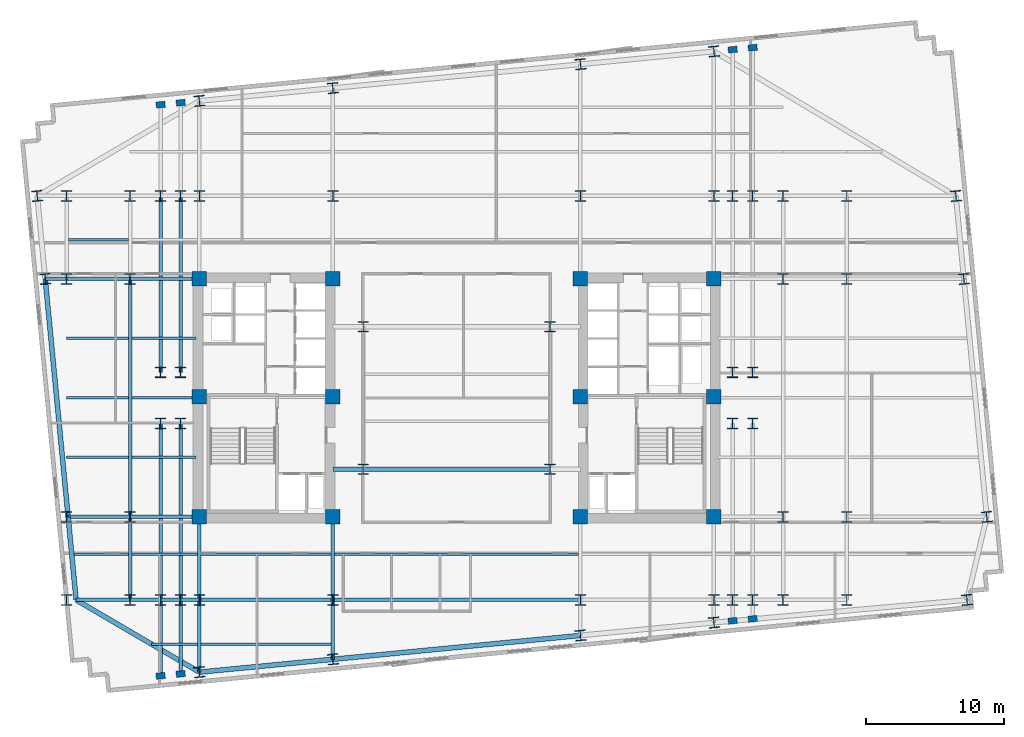
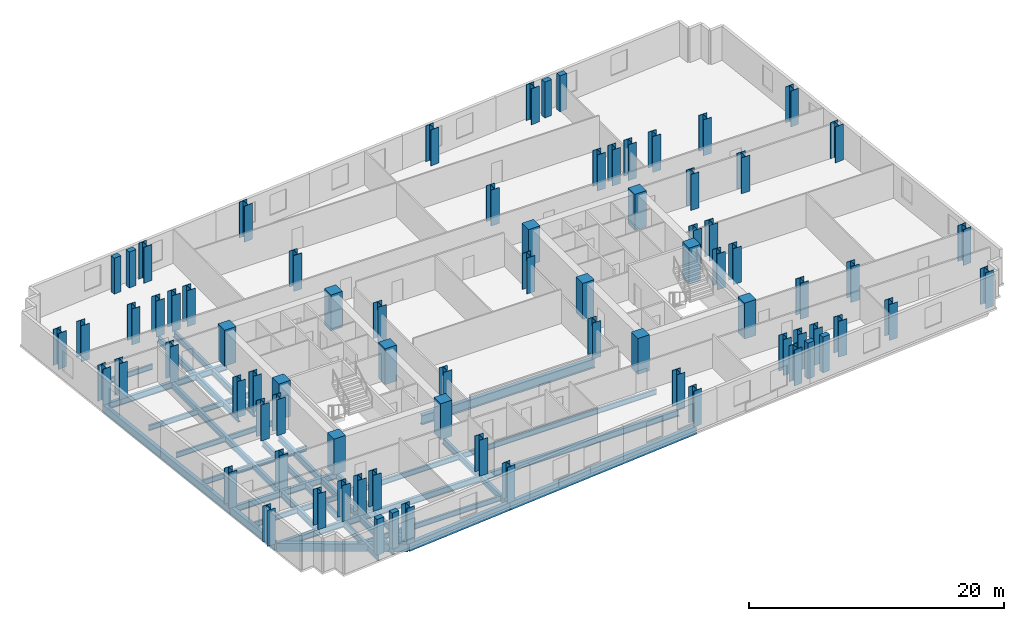
# One storey, part 1 of 10: 78 columns, 41 beams.
"""IFC4 building model written with IfcOpenShell, lengths in metres."""

from ifc_helpers import new_model, si_unit, direction, frame, origin, origin_2d, place, context, subcontext, project, spatial, rectangle, i_section, extrude, material, material_profile, profile_set, type_object, element, save


model = new_model("IFC4")

# Units and contexts
model_context = context("Model", 3, precision=1e-05, world=origin(), true_north=direction((0.0, 1.0)))
body_context = subcontext(model_context, "Body", "Model", "MODEL_VIEW")
ifc_project = project(units=[si_unit("LENGTHUNIT", "METRE"), si_unit("AREAUNIT", "SQUARE_METRE"), si_unit("VOLUMEUNIT", "CUBIC_METRE"), si_unit("PLANEANGLEUNIT", "RADIAN"), si_unit("MASSUNIT", "GRAM", prefix="KILO")], contexts=[model_context])

# Site, building, storey
site_placement = place(None, origin())
site = spatial("IfcSite", under=ifc_project, at=site_placement, CompositionType="ELEMENT")
building_placement = place(site_placement, origin())
building = spatial("IfcBuilding", under=site, at=building_placement, Name="Velakula Bourse", CompositionType="ELEMENT")
storey_placement = place(building_placement, frame((0.0, 0.0, 98.35009765625)))
storey = spatial("IfcBuildingStorey", under=building, at=storey_placement, Name="L26", CompositionType="ELEMENT", Elevation=98.35009765625)

# Columns
ifc_material_1 = material(Name="Concrete M70 (fck 70 MPa)", Category="concrete")
ifc_material_profile_1 = material_profile(ifc_material_1, rectangle(XDim=1.050048828125, YDim=1.050048828125, at=origin_2d()), Name="Concrete M70 (fck 70 MPa)")
ifc_profile_set_1 = profile_set([ifc_material_profile_1], Name="Concrete M70 (fck 70 MPa)")
column_type_1 = type_object("IfcColumnType", Name="COL-RC-1050", PredefinedType="COLUMN", material=ifc_profile_set_1)
for number, where, z_axis, x_axis, name in (
    (1, (-8.949951171875, -8.60009765625, 0.0), (0.0, 0.0, 1.0), (1.0, 0.0, 0.0), "L26 Core Boundary Column 01"),
    (2, (-8.949951171875, 0.10009765625, 0.0), (0.0, 0.0, 1.0), (1.0, 0.0, 0.0), "L26 Core Boundary Column 02"),
    (3, (-8.949951171875, 8.60009765625, 0.0), (0.0, 0.0, 1.0), (1.0, 0.0, 0.0), "L26 Core Boundary Column 03"),
    (4, (-18.60009765625, -8.60009765625, 0.0), (0.0, 0.0, 1.0), (1.0, 0.0, 0.0), "L26 Core Boundary Column 04"),
    (5, (-18.60009765625, 0.10009765625, 0.0), (0.0, 0.0, 1.0), (1.0, 0.0, 0.0), "L26 Core Boundary Column 05"),
    (6, (-18.60009765625, 8.60009765625, 0.0), (0.0, 0.0, 1.0), (1.0, 0.0, 0.0), "L26 Core Boundary Column 06"),
    (7, (8.949951171875, -8.60009765625, 0.0), (0.0, 0.0, 1.0), (1.0, 0.0, 0.0), "L26 Core Boundary Column 07"),
    (8, (8.949951171875, 0.10009765625, 0.0), (0.0, 0.0, 1.0), (1.0, 0.0, 0.0), "L26 Core Boundary Column 08"),
    (9, (8.949951171875, 8.60009765625, 0.0), (0.0, 0.0, 1.0), (1.0, 0.0, 0.0), "L26 Core Boundary Column 09"),
    (10, (18.60009765625, -8.60009765625, 0.0), (0.0, 0.0, 1.0), (1.0, 0.0, 0.0), "L26 Core Boundary Column 10"),
    (11, (18.60009765625, 0.10009765625, 0.0), (0.0, 0.0, 1.0), (1.0, 0.0, 0.0), "L26 Core Boundary Column 11"),
    (12, (18.60009765625, 8.60009765625, 0.0), (0.0, 0.0, 1.0), (1.0, 0.0, 0.0), "L26 Core Boundary Column 12"),
):
    element("IfcColumn", number, at=place(storey_placement, frame(where, z_axis=z_axis, x_axis=x_axis)), inside=storey, type_object=column_type_1, Name=name, PredefinedType="COLUMN", context=body_context, shape_type="SweptSolid", body=[
        extrude(rectangle(XDim=1.050048828125, YDim=1.050048828125, at=origin_2d()), origin(), (0.0, 0.0, 1.0), 3.449951171875),
    ])
ifc_material_2 = material(Name="Steel IS 2062 Grade 450 (E450)", Category="steel")
ifc_material_profile_2 = material_profile(ifc_material_2, i_section(OverallWidth=0.75, OverallDepth=0.75, WebThickness=0.030029296875, FlangeThickness=0.0439453125, at=origin_2d()), Name="Steel IS 2062 Grade 450 (E450)")
ifc_profile_set_2 = profile_set([ifc_material_profile_2], Name="Steel IS 2062 Grade 450 (E450)")
column_type_2 = type_object("IfcColumnType", Name="COL-STL-750", PredefinedType="COLUMN", material=ifc_profile_set_2)
for number, where, z_axis, x_axis, name in (
    (13, (-6.75, -5.14990234375, 0.0), (0.0, 0.0, 1.0), (1.0, 0.0, 0.0), "L26 Central Spine Column 01"),
    (14, (-6.75, 5.14990234375, 0.0), (0.0, 0.0, 1.0), (1.0, 0.0, 0.0), "L26 Central Spine Column 02"),
    (15, (6.75, -5.14990234375, 0.0), (0.0, 0.0, 1.0), (1.0, 0.0, 0.0), "L26 Central Spine Column 03"),
    (16, (6.75, 5.14990234375, 0.0), (0.0, 0.0, 1.0), (1.0, 0.0, 0.0), "L26 Central Spine Column 04"),
    (17, (-21.39990234375, -14.60009765625, 0.0), (0.0, 0.0, 1.0), (1.0, 0.0, 0.0), "L26 Tower Fulcrum Column 01"),
    (18, (-21.39990234375, 14.60009765625, 0.0), (0.0, 0.0, 1.0), (1.0, 0.0, 0.0), "L26 Tower Fulcrum Column 02"),
    (19, (-19.949951171875, -14.60009765625, 0.0), (0.0, 0.0, 1.0), (1.0, 0.0, 0.0), "L26 Tower Fulcrum Column 03"),
    (20, (-19.949951171875, 14.60009765625, 0.0), (0.0, 0.0, 1.0), (1.0, 0.0, 0.0), "L26 Tower Fulcrum Column 04"),
    (21, (-18.60009765625, -14.60009765625, 0.0), (0.0, 0.0, 1.0), (1.0, 0.0, 0.0), "L26 Tower Fulcrum Column 05"),
    (22, (-18.60009765625, 14.60009765625, 0.0), (0.0, 0.0, 1.0), (1.0, 0.0, 0.0), "L26 Tower Fulcrum Column 06"),
    (23, (-8.949951171875, -14.60009765625, 0.0), (0.0, 0.0, 1.0), (1.0, 0.0, 0.0), "L26 Tower Fulcrum Column 07"),
    (24, (-8.949951171875, 14.60009765625, 0.0), (0.0, 0.0, 1.0), (1.0, 0.0, 0.0), "L26 Tower Fulcrum Column 08"),
    (25, (8.949951171875, -14.60009765625, 0.0), (0.0, 0.0, 1.0), (1.0, 0.0, 0.0), "L26 Tower Fulcrum Column 09"),
    (26, (8.949951171875, 14.60009765625, 0.0), (0.0, 0.0, 1.0), (1.0, 0.0, 0.0), "L26 Tower Fulcrum Column 10"),
    (27, (18.60009765625, -14.60009765625, 0.0), (0.0, 0.0, 1.0), (1.0, 0.0, 0.0), "L26 Tower Fulcrum Column 11"),
    (28, (18.60009765625, 14.60009765625, 0.0), (0.0, 0.0, 1.0), (1.0, 0.0, 0.0), "L26 Tower Fulcrum Column 12"),
    (29, (19.949951171875, -14.60009765625, 0.0), (0.0, 0.0, 1.0), (1.0, 0.0, 0.0), "L26 Tower Fulcrum Column 13"),
    (30, (19.949951171875, 14.60009765625, 0.0), (0.0, 0.0, 1.0), (1.0, 0.0, 0.0), "L26 Tower Fulcrum Column 14"),
    (31, (21.39990234375, -14.60009765625, 0.0), (0.0, 0.0, 1.0), (1.0, 0.0, 0.0), "L26 Tower Fulcrum Column 15"),
    (32, (21.39990234375, 14.60009765625, 0.0), (0.0, 0.0, 1.0), (1.0, 0.0, 0.0), "L26 Tower Fulcrum Column 16"),
    (33, (-21.39990234375, -1.85009765625, 0.0), (0.0, 0.0, 1.0), (1.0, 0.0, 0.0), "L26 Tower Fulcrum Column 17"),
    (34, (-21.39990234375, 1.85009765625, 0.0), (0.0, 0.0, 1.0), (1.0, 0.0, 0.0), "L26 Tower Fulcrum Column 18"),
    (35, (-19.949951171875, -1.85009765625, 0.0), (0.0, 0.0, 1.0), (1.0, 0.0, 0.0), "L26 Tower Fulcrum Column 19"),
    (36, (-19.949951171875, 1.85009765625, 0.0), (0.0, 0.0, 1.0), (1.0, 0.0, 0.0), "L26 Tower Fulcrum Column 20"),
    (37, (19.949951171875, -1.85009765625, 0.0), (0.0, 0.0, 1.0), (1.0, 0.0, 0.0), "L26 Tower Fulcrum Column 21"),
    (38, (19.949951171875, 1.85009765625, 0.0), (0.0, 0.0, 1.0), (1.0, 0.0, 0.0), "L26 Tower Fulcrum Column 22"),
    (39, (21.39990234375, -1.85009765625, 0.0), (0.0, 0.0, 1.0), (1.0, 0.0, 0.0), "L26 Tower Fulcrum Column 23"),
    (40, (21.39990234375, 1.85009765625, 0.0), (0.0, 0.0, 1.0), (1.0, 0.0, 0.0), "L26 Tower Fulcrum Column 24"),
    (41, (-23.60009765625, -14.60009765625, 0.0), (0.0, 0.0, 1.0), (1.0, 0.0, 0.0), "L26 Mid-Wing Plumb Column 01"),
    (42, (-23.60009765625, -8.60009765625, 0.0), (0.0, 0.0, 1.0), (1.0, 0.0, 0.0), "L26 Mid-Wing Plumb Column 02"),
    (43, (-23.60009765625, 8.60009765625, 0.0), (0.0, 0.0, 1.0), (1.0, 0.0, 0.0), "L26 Mid-Wing Plumb Column 03"),
    (44, (-23.60009765625, 14.60009765625, 0.0), (0.0, 0.0, 1.0), (1.0, 0.0, 0.0), "L26 Mid-Wing Plumb Column 04"),
    (45, (23.60009765625, -14.60009765625, 0.0), (0.0, 0.0, 1.0), (1.0, 0.0, 0.0), "L26 Mid-Wing Plumb Column 05"),
    (46, (23.60009765625, -8.60009765625, 0.0), (0.0, 0.0, 1.0), (1.0, 0.0, 0.0), "L26 Mid-Wing Plumb Column 06"),
    (47, (23.60009765625, 8.60009765625, 0.0), (0.0, 0.0, 1.0), (1.0, 0.0, 0.0), "L26 Mid-Wing Plumb Column 07"),
    (48, (23.60009765625, 14.60009765625, 0.0), (0.0, 0.0, 1.0), (1.0, 0.0, 0.0), "L26 Mid-Wing Plumb Column 08"),
    (49, (-28.199951171875, -14.60009765625, 0.0), (0.0, 0.0, 1.0), (1.0, 0.0, 0.0), "L26 Lower Wing Column 01"),
    (50, (-28.199951171875, -8.60009765625, 0.0), (0.0, 0.0, 1.0), (1.0, 0.0, 0.0), "L26 Lower Wing Column 02"),
    (51, (-28.199951171875, 8.60009765625, 0.0), (0.0, 0.0, 1.0), (1.0, 0.0, 0.0), "L26 Lower Wing Column 03"),
    (52, (-28.199951171875, 14.60009765625, 0.0), (0.0, 0.0, 1.0), (1.0, 0.0, 0.0), "L26 Lower Wing Column 04"),
    (53, (28.199951171875, -14.60009765625, 0.0), (0.0, 0.0, 1.0), (1.0, 0.0, 0.0), "L26 Lower Wing Column 05"),
    (54, (28.199951171875, -8.60009765625, 0.0), (0.0, 0.0, 1.0), (1.0, 0.0, 0.0), "L26 Lower Wing Column 06"),
    (55, (28.199951171875, 8.60009765625, 0.0), (0.0, 0.0, 1.0), (1.0, 0.0, 0.0), "L26 Lower Wing Column 07"),
    (56, (28.199951171875, 14.60009765625, 0.0), (0.0, 0.0, 1.0), (1.0, 0.0, 0.0), "L26 Lower Wing Column 08"),
    (57, (-18.60009765625, -19.8212890625, 0.0), (0.0, 0.0, 1.0), (0.995396198367, 0.09584575252, 0.0), "L26 Block B2 Perimeter Column S1"),
    (58, (-8.949951171875, -18.89208984375, 0.0), (0.0, 0.0, 1.0), (0.995396198367, 0.09584575252, 0.0), "L26 Block B2 Perimeter Column S2"),
    (59, (8.949951171875, -17.16845703125, 0.0), (0.0, 0.0, 1.0), (0.995396198367, 0.09584575252, 0.0), "L26 Block B2 Perimeter Column S3"),
    (60, (18.60009765625, -16.2392578125, 0.0), (0.0, 0.0, 1.0), (0.995396198367, 0.09584575252, 0.0), "L26 Block B2 Perimeter Column S4"),
    (61, (-18.60009765625, 21.468994140625, 0.0), (0.0, 0.0, 1.0), (0.995396198367, 0.09584575252, 0.0), "L26 Block B2 Perimeter Column N1"),
    (62, (-8.949951171875, 22.398193359375, 0.0), (0.0, 0.0, 1.0), (0.995396198367, 0.09584575252, 0.0), "L26 Block B2 Perimeter Column N2"),
    (63, (8.949951171875, 24.12158203125, 0.0), (0.0, 0.0, 1.0), (0.995396198367, 0.09584575252, 0.0), "L26 Block B2 Perimeter Column N3"),
    (64, (18.60009765625, 25.05078125, 0.0), (0.0, 0.0, 1.0), (0.995396198367, 0.09584575252, 0.0), "L26 Block B2 Perimeter Column N4"),
    (65, (-29.7421875, 8.60009765625, 0.0), (0.0, 0.0, 1.0), (0.995396198367, 0.09584575252, 0.0), "L26 Block B2 Perimeter Column W3"),
    (66, (-30.31982421875, 14.60009765625, 0.0), (0.0, 0.0, 1.0), (0.995396198367, 0.09584575252, 0.0), "L26 Block B2 Perimeter Column W4"),
    (67, (36.88818359375, -14.60009765625, 0.0), (0.0, 0.0, 1.0), (0.995396198367, 0.09584575252, 0.0), "L26 Block B2 Perimeter Column E1"),
    (68, (38.31982421875, -8.60009765625, 0.0), (0.0, 0.0, 1.0), (0.995396198367, 0.09584575252, 0.0), "L26 Block B2 Perimeter Column E2"),
    (69, (36.66357421875, 8.60009765625, 0.0), (0.0, 0.0, 1.0), (0.995396198367, 0.09584575252, 0.0), "L26 Block B2 Perimeter Column E3"),
    (70, (36.0859375, 14.60009765625, 0.0), (0.0, 0.0, 1.0), (0.995396198367, 0.09584575252, 0.0), "L26 Block B2 Perimeter Column E4"),
):
    element("IfcColumn", number, at=place(storey_placement, frame(where, z_axis=z_axis, x_axis=x_axis)), inside=storey, type_object=column_type_2, Name=name, PredefinedType="COLUMN", context=body_context, shape_type="SweptSolid", body=[
        extrude(i_section(OverallWidth=0.75, OverallDepth=0.75, WebThickness=0.030029296875, FlangeThickness=0.0439453125, at=origin_2d()), origin(), (0.0, 0.0, 1.0), 3.449951171875),
    ])
ifc_material_3 = material(Name="Precast concrete M45 (fck 45 MPa)", Category="concrete")
ifc_material_profile_3 = material_profile(ifc_material_3, rectangle(XDim=0.64990234375, YDim=0.449951171875, at=origin_2d()), Name="Precast concrete M45 (fck 45 MPa)")
ifc_profile_set_3 = profile_set([ifc_material_profile_3], Name="Precast concrete M45 (fck 45 MPa)")
column_type_3 = type_object("IfcColumnType", Name="PIL-BRICK-650", PredefinedType="PILASTER", material=ifc_profile_set_3)
for number, where, z_axis, x_axis, name in (
    (71, (-21.39990234375, -20.0908203125, 0.0), (0.0, 0.0, 1.0), (0.995396198367, 0.09584575252, 0.0), "L26 Brick Pier Pilaster 01"),
    (72, (-19.949951171875, -19.951171875, 0.0), (0.0, 0.0, 1.0), (0.995396198367, 0.09584575252, 0.0), "L26 Brick Pier Pilaster 02"),
    (73, (19.949951171875, -16.109130859375, 0.0), (0.0, 0.0, 1.0), (0.995396198367, 0.09584575252, 0.0), "L26 Brick Pier Pilaster 03"),
    (74, (21.39990234375, -15.969482421875, 0.0), (0.0, 0.0, 1.0), (0.995396198367, 0.09584575252, 0.0), "L26 Brick Pier Pilaster 04"),
    (75, (-21.39990234375, 21.19921875, 0.0), (0.0, 0.0, 1.0), (0.995396198367, 0.09584575252, 0.0), "L26 Brick Pier Pilaster 05"),
    (76, (-19.949951171875, 21.3388671875, 0.0), (0.0, 0.0, 1.0), (0.995396198367, 0.09584575252, 0.0), "L26 Brick Pier Pilaster 06"),
    (77, (19.949951171875, 25.180908203125, 0.0), (0.0, 0.0, 1.0), (0.995396198367, 0.09584575252, 0.0), "L26 Brick Pier Pilaster 07"),
    (78, (21.39990234375, 25.320556640625, 0.0), (0.0, 0.0, 1.0), (0.995396198367, 0.09584575252, 0.0), "L26 Brick Pier Pilaster 08"),
):
    element("IfcColumn", number, at=place(storey_placement, frame(where, z_axis=z_axis, x_axis=x_axis)), inside=storey, type_object=column_type_3, Name=name, PredefinedType="PILASTER", context=body_context, shape_type="SweptSolid", body=[
        extrude(rectangle(XDim=0.64990234375, YDim=0.449951171875, at=origin_2d()), origin(), (0.0, 0.0, 1.0), 3.449951171875),
    ])

# Beams
ifc_material_4 = material(Name="Steel IS 2062 Grade 350 (E350)", Category="steel")
ifc_material_profile_4 = material_profile(ifc_material_4, i_section(OverallWidth=0.25, OverallDepth=0.60009765625, WebThickness=0.01171875, FlangeThickness=0.023681640625, at=origin_2d()), Name="Steel IS 2062 Grade 350 (E350)")
ifc_profile_set_4 = profile_set([ifc_material_profile_4], Name="Steel IS 2062 Grade 350 (E350)")
beam_type_1 = type_object("IfcBeamType", Name="BM-GRD-600H", PredefinedType="BEAM", material=ifc_profile_set_4)
for number, where, z_axis, x_axis, name in (
    (79, (-18.60009765625, -14.60009765625, -0.47998046875), (0.0, 1.0, 0.0), (-1.0, 0.0, 0.0), "L26 Fulcrum Grid Girder FLC-WS"),
    (80, (-8.949951171875, -14.60009765625, -0.47998046875), (0.0, 1.0, 0.0), (-1.0, 0.0, 0.0), "L26 Fulcrum Grid Girder FLC-WCS"),
):
    element("IfcBeam", number, at=place(storey_placement, frame(where, z_axis=z_axis, x_axis=x_axis)), inside=storey, type_object=beam_type_1, Name=name, PredefinedType="BEAM", context=body_context, shape_type="SweptSolid", body=[
        extrude(i_section(OverallWidth=0.25, OverallDepth=0.60009765625, WebThickness=0.01171875, FlangeThickness=0.023681640625, at=origin_2d()), origin(), (0.0, 0.0, 1.0), 6.0),
    ])
beam_1_placement = place(storey_placement, frame((-18.60009765625, -14.60009765625, -0.47998046875), z_axis=(1.0, 0.0, 0.0), x_axis=(0.0, 1.0, 0.0)))
element("IfcBeam", 81, at=beam_1_placement, inside=storey, type_object=beam_type_1, Name="L26 Fulcrum Grid Girder FLC-S1", PredefinedType="BEAM", context=body_context, shape_type="SweptSolid", body=[
    extrude(i_section(OverallWidth=0.25, OverallDepth=0.60009765625, WebThickness=0.01171875, FlangeThickness=0.023681640625, at=origin_2d()), origin(), (0.0, 0.0, 1.0), 9.650146484375),
])
beam_2_placement = place(storey_placement, frame((-8.949951171875, -14.60009765625, -0.47998046875), z_axis=(1.0, 0.0, 0.0), x_axis=(0.0, 1.0, 0.0)))
element("IfcBeam", 82, at=beam_2_placement, inside=storey, type_object=beam_type_1, Name="L26 Fulcrum Grid Girder FLC-S2", PredefinedType="BEAM", context=body_context, shape_type="SweptSolid", body=[
    extrude(i_section(OverallWidth=0.25, OverallDepth=0.60009765625, WebThickness=0.01171875, FlangeThickness=0.023681640625, at=origin_2d()), origin(), (0.0, 0.0, 1.0), 17.89990234375),
])
for number, where, z_axis, x_axis, name in (
    (83, (-21.39990234375, -14.60009765625, -0.47998046875), (0.0, 1.0, 0.0), (-1.0, 0.0, 0.0), "L26 Fulcrum Grid Girder FLC-PSW1"),
    (84, (-21.39990234375, 1.85009765625, -0.47998046875), (0.0, 1.0, 0.0), (-1.0, 0.0, 0.0), "L26 Fulcrum Grid Girder FLC-PNW1"),
    (85, (-19.949951171875, -14.60009765625, -0.47998046875), (0.0, 1.0, 0.0), (-1.0, 0.0, 0.0), "L26 Fulcrum Grid Girder FLC-PSW2"),
    (86, (-19.949951171875, 1.85009765625, -0.47998046875), (0.0, 1.0, 0.0), (-1.0, 0.0, 0.0), "L26 Fulcrum Grid Girder FLC-PNW2"),
):
    element("IfcBeam", number, at=place(storey_placement, frame(where, z_axis=z_axis, x_axis=x_axis)), inside=storey, type_object=beam_type_1, Name=name, PredefinedType="BEAM", context=body_context, shape_type="SweptSolid", body=[
        extrude(i_section(OverallWidth=0.25, OverallDepth=0.60009765625, WebThickness=0.01171875, FlangeThickness=0.023681640625, at=origin_2d()), origin(), (0.0, 0.0, 1.0), 12.75),
    ])
for number, where, z_axis, x_axis, name in (
    (87, (-23.60009765625, -14.60009765625, -0.47998046875), (1.0, 0.0, 0.0), (0.0, 1.0, 0.0), "L26 Fulcrum Grid Girder MWG-WS1"),
    (88, (-23.60009765625, -8.60009765625, -0.47998046875), (1.0, 0.0, 0.0), (0.0, 1.0, 0.0), "L26 Fulcrum Grid Girder MWG-WS2"),
    (89, (-23.60009765625, 8.60009765625, -0.47998046875), (1.0, 0.0, 0.0), (0.0, 1.0, 0.0), "L26 Fulcrum Grid Girder MWG-WN1"),
):
    element("IfcBeam", number, at=place(storey_placement, frame(where, z_axis=z_axis, x_axis=x_axis)), inside=storey, type_object=beam_type_1, Name=name, PredefinedType="BEAM", context=body_context, shape_type="SweptSolid", body=[
        extrude(i_section(OverallWidth=0.25, OverallDepth=0.60009765625, WebThickness=0.01171875, FlangeThickness=0.023681640625, at=origin_2d()), origin(), (0.0, 0.0, 1.0), 5.0),
    ])
beam_3_placement = place(storey_placement, frame((-23.60009765625, -14.60009765625, -0.47998046875), z_axis=(0.0, 1.0, 0.0), x_axis=(-1.0, 0.0, 0.0)))
element("IfcBeam", 90, at=beam_3_placement, inside=storey, type_object=beam_type_1, Name="L26 Fulcrum Grid Girder MWG-WNS1", PredefinedType="BEAM", context=body_context, shape_type="SweptSolid", body=[
    extrude(i_section(OverallWidth=0.25, OverallDepth=0.60009765625, WebThickness=0.01171875, FlangeThickness=0.023681640625, at=origin_2d()), origin(), (0.0, 0.0, 1.0), 6.0),
])
beam_4_placement = place(storey_placement, frame((-23.60009765625, -8.60009765625, -0.47998046875), z_axis=(0.0, 1.0, 0.0), x_axis=(-1.0, 0.0, 0.0)))
element("IfcBeam", 91, at=beam_4_placement, inside=storey, type_object=beam_type_1, Name="L26 Fulcrum Grid Girder MWG-WNS2", PredefinedType="BEAM", context=body_context, shape_type="SweptSolid", body=[
    extrude(i_section(OverallWidth=0.25, OverallDepth=0.60009765625, WebThickness=0.01171875, FlangeThickness=0.023681640625, at=origin_2d()), origin(), (0.0, 0.0, 1.0), 17.2001953125),
])
beam_5_placement = place(storey_placement, frame((-27.50830078125, -14.60009765625, -0.47998046875), z_axis=(1.0, 0.0, 0.0), x_axis=(0.0, 1.0, 0.0)))
element("IfcBeam", 92, at=beam_5_placement, inside=storey, type_object=beam_type_1, Name="L26 Fulcrum Grid Girder WNG-WS1", PredefinedType="BEAM", context=body_context, shape_type="SweptSolid", body=[
    extrude(i_section(OverallWidth=0.25, OverallDepth=0.60009765625, WebThickness=0.01171875, FlangeThickness=0.023681640625, at=origin_2d()), origin(), (0.0, 0.0, 1.0), 3.908203125),
])
beam_6_placement = place(storey_placement, frame((-28.0859375, -8.60009765625, -0.47998046875), z_axis=(1.0, 0.0, 0.0), x_axis=(0.0, 1.0, 0.0)))
element("IfcBeam", 93, at=beam_6_placement, inside=storey, type_object=beam_type_1, Name="L26 Fulcrum Grid Girder WNG-WS2", PredefinedType="BEAM", context=body_context, shape_type="SweptSolid", body=[
    extrude(i_section(OverallWidth=0.25, OverallDepth=0.60009765625, WebThickness=0.01171875, FlangeThickness=0.023681640625, at=origin_2d()), origin(), (0.0, 0.0, 1.0), 4.48583984375),
])
beam_7_placement = place(storey_placement, frame((-28.199951171875, 8.60009765625, -0.47998046875), z_axis=(1.0, 0.0, 0.0), x_axis=(0.0, 1.0, 0.0)))
element("IfcBeam", 94, at=beam_7_placement, inside=storey, type_object=beam_type_1, Name="L26 Fulcrum Grid Girder WNG-WN1", PredefinedType="BEAM", context=body_context, shape_type="SweptSolid", body=[
    extrude(i_section(OverallWidth=0.25, OverallDepth=0.60009765625, WebThickness=0.01171875, FlangeThickness=0.023681640625, at=origin_2d()), origin(), (0.0, 0.0, 1.0), 4.599853515625),
])
beam_8_placement = place(storey_placement, frame((-18.60009765625, -14.60009765625, -0.47998046875), z_axis=(0.0, -1.0, 0.0), x_axis=(1.0, 0.0, 0.0)))
element("IfcBeam", 95, at=beam_8_placement, inside=storey, type_object=beam_type_1, Name="L26 Perimeter Tie Girder S1", PredefinedType="BEAM", context=body_context, shape_type="SweptSolid", body=[
    extrude(i_section(OverallWidth=0.25, OverallDepth=0.60009765625, WebThickness=0.01171875, FlangeThickness=0.023681640625, at=origin_2d()), origin(), (0.0, 0.0, 1.0), 5.22119140625),
])
beam_9_placement = place(storey_placement, frame((-8.949951171875, -14.60009765625, -0.47998046875), z_axis=(0.0, -1.0, 0.0), x_axis=(1.0, 0.0, 0.0)))
element("IfcBeam", 96, at=beam_9_placement, inside=storey, type_object=beam_type_1, Name="L26 Perimeter Tie Girder S2", PredefinedType="BEAM", context=body_context, shape_type="SweptSolid", body=[
    extrude(i_section(OverallWidth=0.25, OverallDepth=0.60009765625, WebThickness=0.01171875, FlangeThickness=0.023681640625, at=origin_2d()), origin(), (0.0, 0.0, 1.0), 4.2919921875),
])
beam_10_placement = place(storey_placement, frame((-28.199951171875, 8.60009765625, -0.47998046875), z_axis=(-1.0, 0.0, 0.0), x_axis=(0.0, -1.0, 0.0)))
element("IfcBeam", 97, at=beam_10_placement, inside=storey, type_object=beam_type_1, Name="L26 Perimeter Tie Girder W3", PredefinedType="BEAM", context=body_context, shape_type="SweptSolid", body=[
    extrude(i_section(OverallWidth=0.25, OverallDepth=0.60009765625, WebThickness=0.01171875, FlangeThickness=0.023681640625, at=origin_2d()), origin(), (0.0, 0.0, 1.0), 1.542236328125),
])
beam_11_placement = place(storey_placement, frame((-21.39990234375, -14.60009765625, -0.47998046875), z_axis=(0.0, -1.0, 0.0), x_axis=(1.0, 0.0, 0.0)))
element("IfcBeam", 98, at=beam_11_placement, inside=storey, type_object=beam_type_1, Name="L26 Perimeter Tie Girder P01", PredefinedType="BEAM", context=body_context, shape_type="SweptSolid", body=[
    extrude(i_section(OverallWidth=0.25, OverallDepth=0.60009765625, WebThickness=0.01171875, FlangeThickness=0.023681640625, at=origin_2d()), origin(), (0.0, 0.0, 1.0), 5.49072265625),
])
beam_12_placement = place(storey_placement, frame((-19.949951171875, -14.60009765625, -0.47998046875), z_axis=(0.0, -1.0, 0.0), x_axis=(1.0, 0.0, 0.0)))
element("IfcBeam", 99, at=beam_12_placement, inside=storey, type_object=beam_type_1, Name="L26 Perimeter Tie Girder P02", PredefinedType="BEAM", context=body_context, shape_type="SweptSolid", body=[
    extrude(i_section(OverallWidth=0.25, OverallDepth=0.60009765625, WebThickness=0.01171875, FlangeThickness=0.023681640625, at=origin_2d()), origin(), (0.0, 0.0, 1.0), 5.35107421875),
])
ifc_material_profile_5 = material_profile(ifc_material_4, i_section(OverallWidth=0.35009765625, OverallDepth=0.89990234375, WebThickness=0.02001953125, FlangeThickness=0.031982421875, at=origin_2d()), Name="Steel IS 2062 Grade 350 (E350)")
ifc_profile_set_5 = profile_set([ifc_material_profile_5], Name="Steel IS 2062 Grade 350 (E350)")
beam_type_2 = type_object("IfcBeamType", Name="BM-LNK-900", PredefinedType="BEAM", material=ifc_profile_set_5)
beam_13_placement = place(storey_placement, frame((-8.949951171875, -5.14990234375, -0.630126953125), z_axis=(1.0, 0.0, 0.0), x_axis=(0.0, 1.0, 0.0)))
element("IfcBeam", 100, at=beam_13_placement, inside=storey, type_object=beam_type_2, Name="L26 Primary Backbone Girder LNK-S1", PredefinedType="BEAM", context=body_context, shape_type="SweptSolid", body=[
    extrude(i_section(OverallWidth=0.35009765625, OverallDepth=0.89990234375, WebThickness=0.02001953125, FlangeThickness=0.031982421875, at=origin_2d()), origin(), (0.0, 0.0, 1.0), 2.199951171875),
])
beam_14_placement = place(storey_placement, frame((-6.75, -5.14990234375, -0.630126953125), z_axis=(1.0, 0.0, 0.0), x_axis=(0.0, 1.0, 0.0)))
element("IfcBeam", 101, at=beam_14_placement, inside=storey, type_object=beam_type_2, Name="L26 Primary Backbone Girder LNK-S2", PredefinedType="BEAM", context=body_context, shape_type="SweptSolid", body=[
    extrude(i_section(OverallWidth=0.35009765625, OverallDepth=0.89990234375, WebThickness=0.02001953125, FlangeThickness=0.031982421875, at=origin_2d()), origin(), (0.0, 0.0, 1.0), 13.5),
])
ifc_material_profile_6 = material_profile(ifc_material_4, i_section(OverallWidth=0.179931640625, OverallDepth=0.5, WebThickness=0.01025390625, FlangeThickness=0.01708984375, at=origin_2d()), Name="Steel IS 2062 Grade 350 (E350)")
ifc_profile_set_6 = profile_set([ifc_material_profile_6], Name="Steel IS 2062 Grade 350 (E350)")
beam_type_3 = type_object("IfcBeamType", Name="JST-TWR-500", PredefinedType="JOIST", material=ifc_profile_set_6)
beam_15_placement = place(storey_placement, frame((-22.048583984375, -17.800048828125, -0.43017578125), z_axis=(1.0, 0.0, 0.0), x_axis=(0.0, 1.0, 0.0)))
element("IfcBeam", 102, at=beam_15_placement, inside=storey, type_object=beam_type_3, Name="L26 Trading Floor Composite Joist 01", PredefinedType="JOIST", context=body_context, shape_type="SweptSolid", body=[
    extrude(i_section(OverallWidth=0.179931640625, OverallDepth=0.5, WebThickness=0.01025390625, FlangeThickness=0.01708984375, at=origin_2d()), origin(), (0.0, 0.0, 1.0), 3.323486328125),
])
beam_16_placement = place(storey_placement, frame((-18.47509765625, -17.800048828125, -0.43017578125), z_axis=(1.0, 0.0, 0.0), x_axis=(0.0, 1.0, 0.0)))
element("IfcBeam", 103, at=beam_16_placement, inside=storey, type_object=beam_type_3, Name="L26 Trading Floor Composite Joist 02", PredefinedType="JOIST", context=body_context, shape_type="SweptSolid", body=[
    extrude(i_section(OverallWidth=0.179931640625, OverallDepth=0.5, WebThickness=0.01025390625, FlangeThickness=0.01708984375, at=origin_2d()), origin(), (0.0, 0.0, 1.0), 9.400146484375),
])
beam_17_placement = place(storey_placement, frame((-27.650146484375, -11.300048828125, -0.43017578125), z_axis=(1.0, 0.0, 0.0), x_axis=(0.0, 1.0, 0.0)))
element("IfcBeam", 104, at=beam_17_placement, inside=storey, type_object=beam_type_3, Name="L26 Trading Floor Composite Joist 04", PredefinedType="JOIST", context=body_context, shape_type="SweptSolid", body=[
    extrude(i_section(OverallWidth=0.179931640625, OverallDepth=0.5, WebThickness=0.01025390625, FlangeThickness=0.01708984375, at=origin_2d()), origin(), (0.0, 0.0, 1.0), 3.925048828125),
])
beam_18_placement = place(storey_placement, frame((-23.47509765625, -11.300048828125, -0.43017578125), z_axis=(1.0, 0.0, 0.0), x_axis=(0.0, 1.0, 0.0)))
element("IfcBeam", 105, at=beam_18_placement, inside=storey, type_object=beam_type_3, Name="L26 Trading Floor Composite Joist 05", PredefinedType="JOIST", context=body_context, shape_type="SweptSolid", body=[
    extrude(i_section(OverallWidth=0.179931640625, OverallDepth=0.5, WebThickness=0.01025390625, FlangeThickness=0.01708984375, at=origin_2d()), origin(), (0.0, 0.0, 1.0), 4.75),
])
beam_19_placement = place(storey_placement, frame((-18.47509765625, -11.300048828125, -0.43017578125), z_axis=(1.0, 0.0, 0.0), x_axis=(0.0, 1.0, 0.0)))
element("IfcBeam", 106, at=beam_19_placement, inside=storey, type_object=beam_type_3, Name="L26 Trading Floor Composite Joist 06", PredefinedType="JOIST", context=body_context, shape_type="SweptSolid", body=[
    extrude(i_section(OverallWidth=0.179931640625, OverallDepth=0.5, WebThickness=0.01025390625, FlangeThickness=0.01708984375, at=origin_2d()), origin(), (0.0, 0.0, 1.0), 9.400146484375),
])
beam_20_placement = place(storey_placement, frame((-8.824951171875, -11.300048828125, -0.43017578125), z_axis=(1.0, 0.0, 0.0), x_axis=(0.0, 1.0, 0.0)))
element("IfcBeam", 107, at=beam_20_placement, inside=storey, type_object=beam_type_3, Name="L26 Trading Floor Composite Joist 07", PredefinedType="JOIST", context=body_context, shape_type="SweptSolid", body=[
    extrude(i_section(OverallWidth=0.179931640625, OverallDepth=0.5, WebThickness=0.01025390625, FlangeThickness=0.01708984375, at=origin_2d()), origin(), (0.0, 0.0, 1.0), 17.64990234375),
])
beam_21_placement = place(storey_placement, frame((-28.074951171875, 11.449951171875, -0.43017578125), z_axis=(1.0, 0.0, 0.0), x_axis=(0.0, 1.0, 0.0)))
element("IfcBeam", 108, at=beam_21_placement, inside=storey, type_object=beam_type_3, Name="L26 Trading Floor Composite Joist 12", PredefinedType="JOIST", context=body_context, shape_type="SweptSolid", body=[
    extrude(i_section(OverallWidth=0.179931640625, OverallDepth=0.5, WebThickness=0.01025390625, FlangeThickness=0.01708984375, at=origin_2d()), origin(), (0.0, 0.0, 1.0), 4.349853515625),
])
beam_22_placement = place(storey_placement, frame((-28.199951171875, -4.300048828125, -0.43017578125), z_axis=(1.0, 0.0, 0.0), x_axis=(0.0, 1.0, 0.0)))
element("IfcBeam", 109, at=beam_22_placement, inside=storey, type_object=beam_type_3, Name="L26 Trading Floor Composite Joist 33", PredefinedType="JOIST", context=body_context, shape_type="SweptSolid", body=[
    extrude(i_section(OverallWidth=0.179931640625, OverallDepth=0.5, WebThickness=0.01025390625, FlangeThickness=0.01708984375, at=origin_2d()), origin(), (0.0, 0.0, 1.0), 4.474853515625),
])
beam_23_placement = place(storey_placement, frame((-23.47509765625, -4.300048828125, -0.43017578125), z_axis=(1.0, 0.0, 0.0), x_axis=(0.0, 1.0, 0.0)))
element("IfcBeam", 110, at=beam_23_placement, inside=storey, type_object=beam_type_3, Name="L26 Trading Floor Composite Joist 34", PredefinedType="JOIST", context=body_context, shape_type="SweptSolid", body=[
    extrude(i_section(OverallWidth=0.179931640625, OverallDepth=0.5, WebThickness=0.01025390625, FlangeThickness=0.01708984375, at=origin_2d()), origin(), (0.0, 0.0, 1.0), 4.625),
])
beam_24_placement = place(storey_placement, frame((-28.199951171875, 0.0, -0.43017578125), z_axis=(1.0, 0.0, 0.0), x_axis=(0.0, 1.0, 0.0)))
element("IfcBeam", 111, at=beam_24_placement, inside=storey, type_object=beam_type_3, Name="L26 Trading Floor Composite Joist 38", PredefinedType="JOIST", context=body_context, shape_type="SweptSolid", body=[
    extrude(i_section(OverallWidth=0.179931640625, OverallDepth=0.5, WebThickness=0.01025390625, FlangeThickness=0.01708984375, at=origin_2d()), origin(), (0.0, 0.0, 1.0), 4.474853515625),
])
beam_25_placement = place(storey_placement, frame((-23.47509765625, 0.0, -0.43017578125), z_axis=(1.0, 0.0, 0.0), x_axis=(0.0, 1.0, 0.0)))
element("IfcBeam", 112, at=beam_25_placement, inside=storey, type_object=beam_type_3, Name="L26 Trading Floor Composite Joist 39", PredefinedType="JOIST", context=body_context, shape_type="SweptSolid", body=[
    extrude(i_section(OverallWidth=0.179931640625, OverallDepth=0.5, WebThickness=0.01025390625, FlangeThickness=0.01708984375, at=origin_2d()), origin(), (0.0, 0.0, 1.0), 4.625),
])
beam_26_placement = place(storey_placement, frame((-28.199951171875, 4.300048828125, -0.43017578125), z_axis=(1.0, 0.0, 0.0), x_axis=(0.0, 1.0, 0.0)))
element("IfcBeam", 113, at=beam_26_placement, inside=storey, type_object=beam_type_3, Name="L26 Trading Floor Composite Joist 43", PredefinedType="JOIST", context=body_context, shape_type="SweptSolid", body=[
    extrude(i_section(OverallWidth=0.179931640625, OverallDepth=0.5, WebThickness=0.01025390625, FlangeThickness=0.01708984375, at=origin_2d()), origin(), (0.0, 0.0, 1.0), 4.474853515625),
])
beam_27_placement = place(storey_placement, frame((-23.47509765625, 4.300048828125, -0.43017578125), z_axis=(1.0, 0.0, 0.0), x_axis=(0.0, 1.0, 0.0)))
element("IfcBeam", 114, at=beam_27_placement, inside=storey, type_object=beam_type_3, Name="L26 Trading Floor Composite Joist 44", PredefinedType="JOIST", context=body_context, shape_type="SweptSolid", body=[
    extrude(i_section(OverallWidth=0.179931640625, OverallDepth=0.5, WebThickness=0.01025390625, FlangeThickness=0.01708984375, at=origin_2d()), origin(), (0.0, 0.0, 1.0), 4.625),
])
ifc_material_profile_7 = material_profile(ifc_material_3, rectangle(XDim=0.35009765625, YDim=0.75, at=origin_2d()), Name="Precast concrete M45 (fck 45 MPa)")
ifc_profile_set_7 = profile_set([ifc_material_profile_7], Name="Precast concrete M45 (fck 45 MPa)")
beam_type_4 = type_object("IfcBeamType", Name="SPN-BRICK-750", PredefinedType="SPANDREL", material=ifc_profile_set_7)
beam_28_placement = place(storey_placement, frame((-18.60009765625, -19.8212890625, -0.55517578125), z_axis=(0.99539623971, 0.095845323155, 0.0), x_axis=(-0.095845323155, 0.99539623971, 0.0)))
element("IfcBeam", 115, at=beam_28_placement, inside=storey, type_object=beam_type_4, Name="L26 Brick-Faced Precast Spandrel S1-S2", PredefinedType="SPANDREL", context=body_context, shape_type="SweptSolid", body=[
    extrude(rectangle(XDim=0.35009765625, YDim=0.75, at=origin_2d()), origin(), (0.0, 0.0, 1.0), 9.69482421875),
])
beam_29_placement = place(storey_placement, frame((-8.949951171875, -18.89208984375, -0.55517578125), z_axis=(0.995395836254, 0.095849513134, 0.0), x_axis=(-0.095849513134, 0.995395836254, 0.0)))
element("IfcBeam", 116, at=beam_29_placement, inside=storey, type_object=beam_type_4, Name="L26 Brick-Faced Precast Spandrel S2-S3", PredefinedType="SPANDREL", context=body_context, shape_type="SweptSolid", body=[
    extrude(rectangle(XDim=0.35009765625, YDim=0.75, at=origin_2d()), origin(), (0.0, 0.0, 1.0), 17.982666015625),
])
beam_30_placement = place(storey_placement, frame((-27.50830078125, -14.60009765625, -0.55517578125), z_axis=(-0.095829714309, 0.995397742541, 0.0), x_axis=(-0.995397742541, -0.095829714309, 0.0)))
element("IfcBeam", 117, at=beam_30_placement, inside=storey, type_object=beam_type_4, Name="L26 Brick-Faced Precast Spandrel W1-W2", PredefinedType="SPANDREL", context=body_context, shape_type="SweptSolid", body=[
    extrude(rectangle(XDim=0.35009765625, YDim=0.75, at=origin_2d()), origin(), (0.0, 0.0, 1.0), 6.02783203125),
])
beam_31_placement = place(storey_placement, frame((-28.0859375, -8.60009765625, -0.55517578125), z_axis=(-0.095849167925, 0.995395869495, 0.0), x_axis=(-0.995395869495, -0.095849167925, 0.0)))
element("IfcBeam", 118, at=beam_31_placement, inside=storey, type_object=beam_type_4, Name="L26 Brick-Faced Precast Spandrel W2-W3", PredefinedType="SPANDREL", context=body_context, shape_type="SweptSolid", body=[
    extrude(rectangle(XDim=0.35009765625, YDim=0.75, at=origin_2d()), origin(), (0.0, 0.0, 1.0), 17.27978515625),
])
beam_32_placement = place(storey_placement, frame((-27.50830078125, -14.60009765625, -0.55517578125), z_axis=(0.862734250413, -0.505657604674, 0.0), x_axis=(0.505657604674, 0.862734250413, 0.0)))
element("IfcBeam", 119, at=beam_32_placement, inside=storey, type_object=beam_type_4, Name="L26 Brick-Faced Precast Spandrel W1-S1", PredefinedType="SPANDREL", context=body_context, shape_type="SweptSolid", body=[
    extrude(rectangle(XDim=0.35009765625, YDim=0.75, at=origin_2d()), origin(), (0.0, 0.0, 1.0), 10.325439453125),
])

save(model, "model.ifc")
